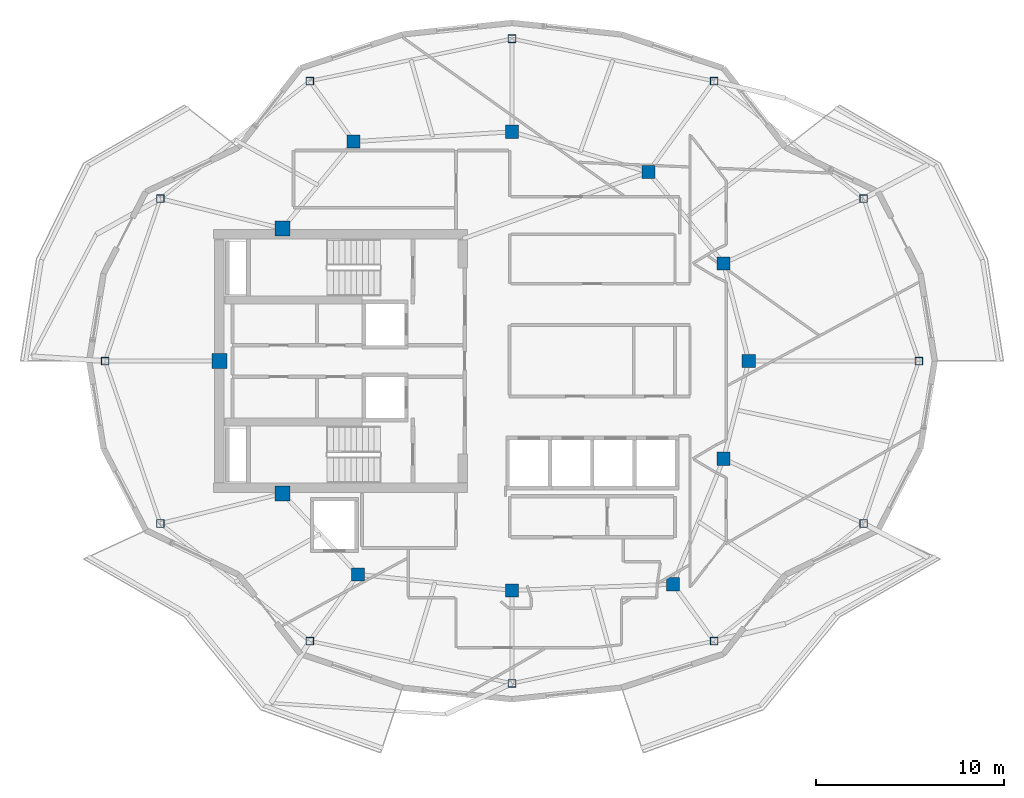
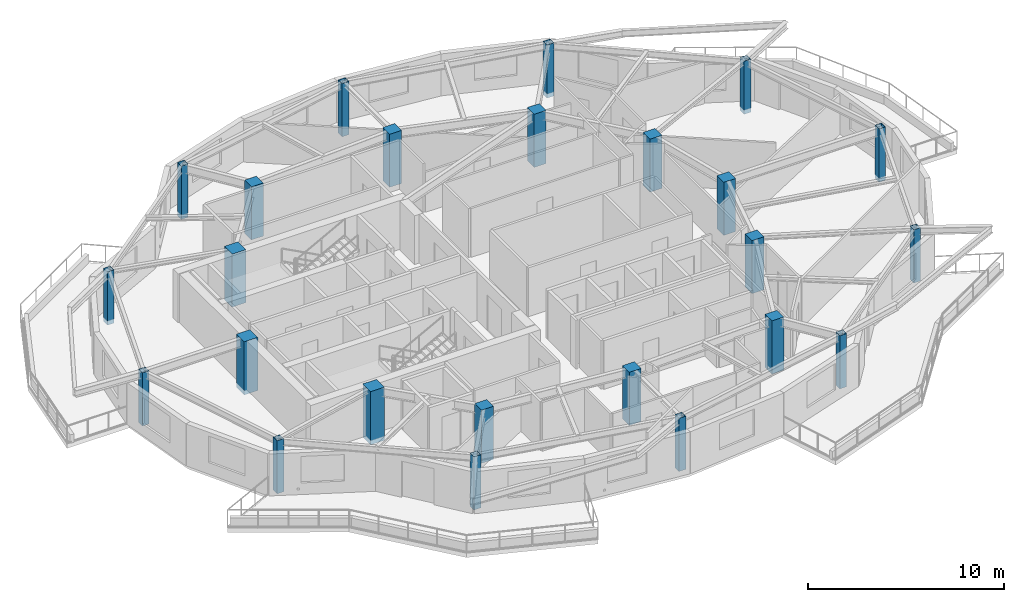
# One storey, part 1 of 9: 24 columns.
"""IFC4 building model written with IfcOpenShell, lengths in metres."""

from ifc_helpers import new_model, si_unit, direction, frame, origin, origin_2d, place, context, subcontext, project, spatial, rectangle, hollow_rectangle, extrude, material, material_profile, profile_set, type_object, element, save


model = new_model("IFC4")

# Units and contexts
model_context = context("Model", 3, precision=1e-05, world=origin(), true_north=direction((0.0, 1.0)))
body_context = subcontext(model_context, "Body", "Model", "MODEL_VIEW")
ifc_project = project(units=[si_unit("LENGTHUNIT", "METRE"), si_unit("AREAUNIT", "SQUARE_METRE"), si_unit("VOLUMEUNIT", "CUBIC_METRE"), si_unit("PLANEANGLEUNIT", "RADIAN"), si_unit("MASSUNIT", "GRAM", prefix="KILO")], contexts=[model_context])

# Site, building, storey
site_placement = place(None, origin())
site = spatial("IfcSite", under=ifc_project, at=site_placement, CompositionType="ELEMENT")
building_placement = place(site_placement, origin())
building = spatial("IfcBuilding", under=site, at=building_placement, Name="Kolvaren Gate Tower and Convention Centre", CompositionType="ELEMENT")
storey_placement = place(building_placement, frame((0.0, 0.0, 249.199951171875)))
storey = spatial("IfcBuildingStorey", under=building, at=storey_placement, Name="L67", CompositionType="ELEMENT", Elevation=249.199951171875)

# Columns
ifc_material_1 = material(Name="Structural steel ASTM A500 Grade C 345 MPa", Category="steel")
ifc_material_profile_1 = material_profile(ifc_material_1, hollow_rectangle(XDim=0.406005859375, YDim=0.406005859375, WallThickness=0.015869140625, at=origin_2d()), Name="HSS406X406X15.9")
ifc_profile_set_1 = profile_set([ifc_material_profile_1], Name="Structural steel ASTM A500 Grade C 345 MPa")
column_type_1 = type_object("IfcColumnType", Name="STR-COL-HSS406", PredefinedType="COLUMN", material=ifc_profile_set_1)
for number, where, z_axis, x_axis, name in (
    (1, (51.77490234375, 27.0, -0.27001953125), (0.0, 0.0, 1.0), (1.0, 0.0, 0.0), "Tower L67 Perimeter Supercolumn TP-01"),
    (2, (48.8388671875, 35.6435546875, -0.27001953125), (0.0, 0.0, 1.0), (1.0, 0.0, 0.0), "Tower L67 Perimeter Supercolumn TP-02"),
    (3, (40.877685546875, 41.899169921875, -0.27001953125), (0.0, 0.0, 1.0), (1.0, 0.0, 0.0), "Tower L67 Perimeter Supercolumn TP-03"),
    (4, (30.125, 44.14990234375, -0.27001953125), (0.0, 0.0, 1.0), (1.0, 0.0, 0.0), "Tower L67 Perimeter Supercolumn TP-04"),
    (5, (19.372314453125, 41.899169921875, -0.27001953125), (0.0, 0.0, 1.0), (1.0, 0.0, 0.0), "Tower L67 Perimeter Supercolumn TP-05"),
    (6, (11.4111328125, 35.6435546875, -0.27001953125), (0.0, 0.0, 1.0), (1.0, 0.0, 0.0), "Tower L67 Perimeter Supercolumn TP-06"),
    (7, (8.47509765625, 27.0, -0.27001953125), (0.0, 0.0, 1.0), (1.0, 0.0, 0.0), "Tower L67 Perimeter Supercolumn TP-07"),
    (8, (11.4111328125, 18.3564453125, -0.27001953125), (0.0, 0.0, 1.0), (1.0, 0.0, 0.0), "Tower L67 Perimeter Supercolumn TP-08"),
    (9, (19.372314453125, 12.100830078125, -0.27001953125), (0.0, 0.0, 1.0), (1.0, 0.0, 0.0), "Tower L67 Perimeter Supercolumn TP-09"),
    (10, (30.125, 9.85009765625, -0.27001953125), (0.0, 0.0, 1.0), (1.0, 0.0, 0.0), "Tower L67 Perimeter Supercolumn TP-10"),
    (11, (40.877685546875, 12.100830078125, -0.27001953125), (0.0, 0.0, 1.0), (1.0, 0.0, 0.0), "Tower L67 Perimeter Supercolumn TP-11"),
    (12, (48.8388671875, 18.3564453125, -0.27001953125), (0.0, 0.0, 1.0), (1.0, 0.0, 0.0), "Tower L67 Perimeter Supercolumn TP-12"),
):
    element("IfcColumn", number, at=place(storey_placement, frame(where, z_axis=z_axis, x_axis=x_axis)), inside=storey, type_object=column_type_1, Name=name, PredefinedType="COLUMN", context=body_context, shape_type="SweptSolid", body=[
        extrude(hollow_rectangle(XDim=0.406005859375, YDim=0.406005859375, WallThickness=0.015869140625, at=origin_2d()), origin(), (0.0, 0.0, 1.0), 3.300048828125),
    ])
ifc_material_2 = material(Name="Concrete C50/60", Category="concrete")
ifc_material_profile_2 = material_profile(ifc_material_2, rectangle(XDim=0.699951171875, YDim=0.699951171875, at=origin_2d()), Name="RC-COL-700X700")
ifc_profile_set_2 = profile_set([ifc_material_profile_2], Name="Concrete C50/60")
column_type_2 = type_object("IfcColumnType", Name="STR-COL-RC700", PredefinedType="COLUMN", material=ifc_profile_set_2)
for number, where, z_axis, x_axis, name in (
    (13, (42.72509765625, 27.0, -0.27001953125), (0.0, 0.0, 1.0), (1.0, 0.0, 0.0), "Tower L67 Interior Column TI-01"),
    (14, (41.382080078125, 32.199462890625, -0.27001953125), (0.0, 0.0, 1.0), (1.0, 0.0, 0.0), "Tower L67 Interior Column TI-02"),
    (15, (37.381591796875, 37.054931640625, -0.27001953125), (0.0, 0.0, 1.0), (1.0, 0.0, 0.0), "Tower L67 Interior Column TI-03"),
    (16, (30.125, 39.199951171875, -0.27001953125), (0.0, 0.0, 1.0), (1.0, 0.0, 0.0), "Tower L67 Interior Column TI-04"),
    (17, (21.697998046875, 38.6767578125, -0.27001953125), (0.0, 0.0, 1.0), (1.0, 0.0, 0.0), "Tower L67 Interior Column TI-05"),
    (18, (21.93212890625, 15.647705078125, -0.27001953125), (0.0, 0.0, 1.0), (1.0, 0.0, 0.0), "Tower L67 Interior Column TI-06"),
    (19, (30.125, 14.800048828125, -0.27001953125), (0.0, 0.0, 1.0), (1.0, 0.0, 0.0), "Tower L67 Interior Column TI-07"),
    (20, (38.6982421875, 15.12060546875, -0.27001953125), (0.0, 0.0, 1.0), (1.0, 0.0, 0.0), "Tower L67 Interior Column TI-08"),
    (21, (41.382080078125, 21.800537109375, -0.27001953125), (0.0, 0.0, 1.0), (1.0, 0.0, 0.0), "Tower L67 Interior Column TI-09"),
):
    element("IfcColumn", number, at=place(storey_placement, frame(where, z_axis=z_axis, x_axis=x_axis)), inside=storey, type_object=column_type_2, Name=name, PredefinedType="COLUMN", context=body_context, shape_type="SweptSolid", body=[
        extrude(rectangle(XDim=0.699951171875, YDim=0.699951171875, at=origin_2d()), origin(), (0.0, 0.0, 1.0), 3.300048828125),
    ])
ifc_material_3 = material(Name="Concrete C60/75", Category="concrete")
ifc_material_profile_3 = material_profile(ifc_material_3, rectangle(XDim=0.800048828125, YDim=0.800048828125, at=origin_2d()), Name="RC-COL-800X800")
ifc_profile_set_3 = profile_set([ifc_material_profile_3], Name="Concrete C60/75")
column_type_3 = type_object("IfcColumnType", Name="STR-PIL-RC800", PredefinedType="PILASTER", material=ifc_profile_set_3)
for number, where, z_axis, x_axis, name in (
    (22, (17.9140625, 34.050048828125, -0.27001953125), (0.0, 0.0, 1.0), (1.0, 0.0, 0.0), "Tower L67 Core Boundary Pilaster TC-05"),
    (23, (14.550048828125, 27.0, -0.27001953125), (0.0, 0.0, 1.0), (1.0, 0.0, 0.0), "Tower L67 Core Boundary Pilaster TC-06"),
    (24, (17.9140625, 19.949951171875, -0.27001953125), (0.0, 0.0, 1.0), (1.0, 0.0, 0.0), "Tower L67 Core Boundary Pilaster TC-07"),
):
    element("IfcColumn", number, at=place(storey_placement, frame(where, z_axis=z_axis, x_axis=x_axis)), inside=storey, type_object=column_type_3, Name=name, PredefinedType="PILASTER", context=body_context, shape_type="SweptSolid", body=[
        extrude(rectangle(XDim=0.800048828125, YDim=0.800048828125, at=origin_2d()), origin(), (0.0, 0.0, 1.0), 3.300048828125),
    ])

save(model, "model.ifc")
